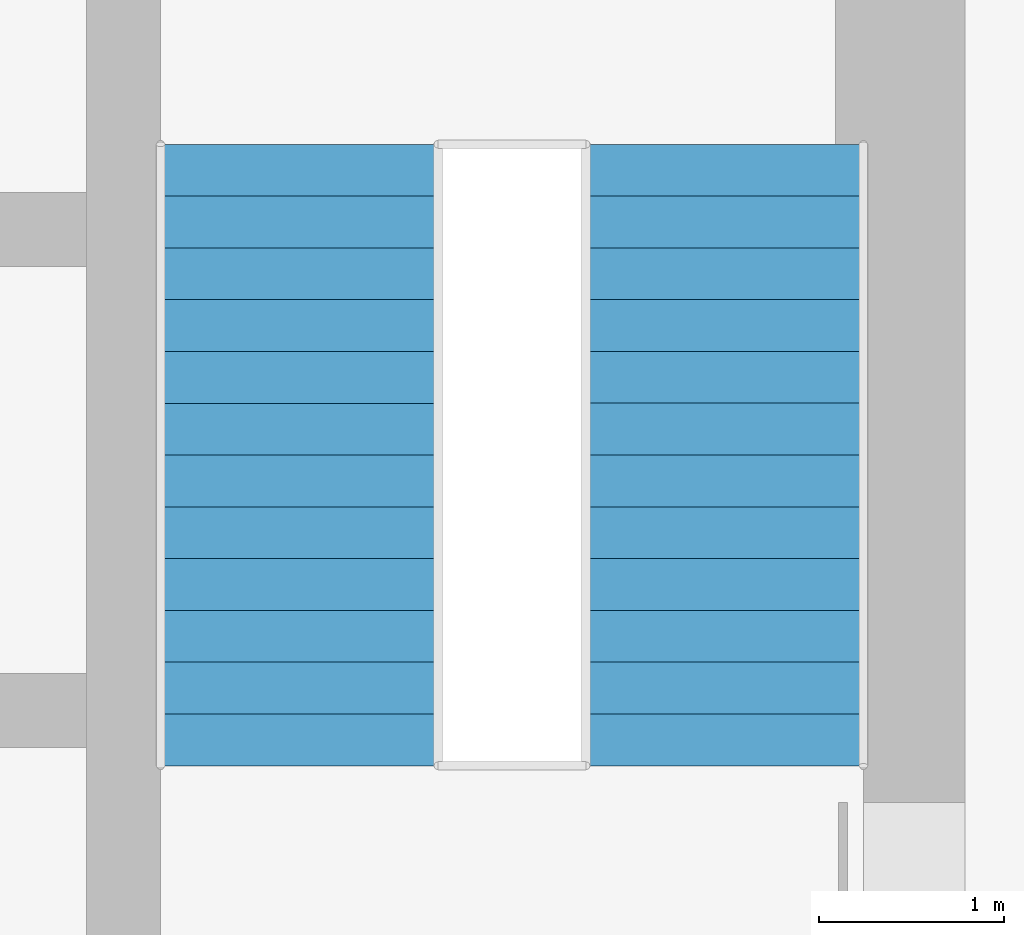
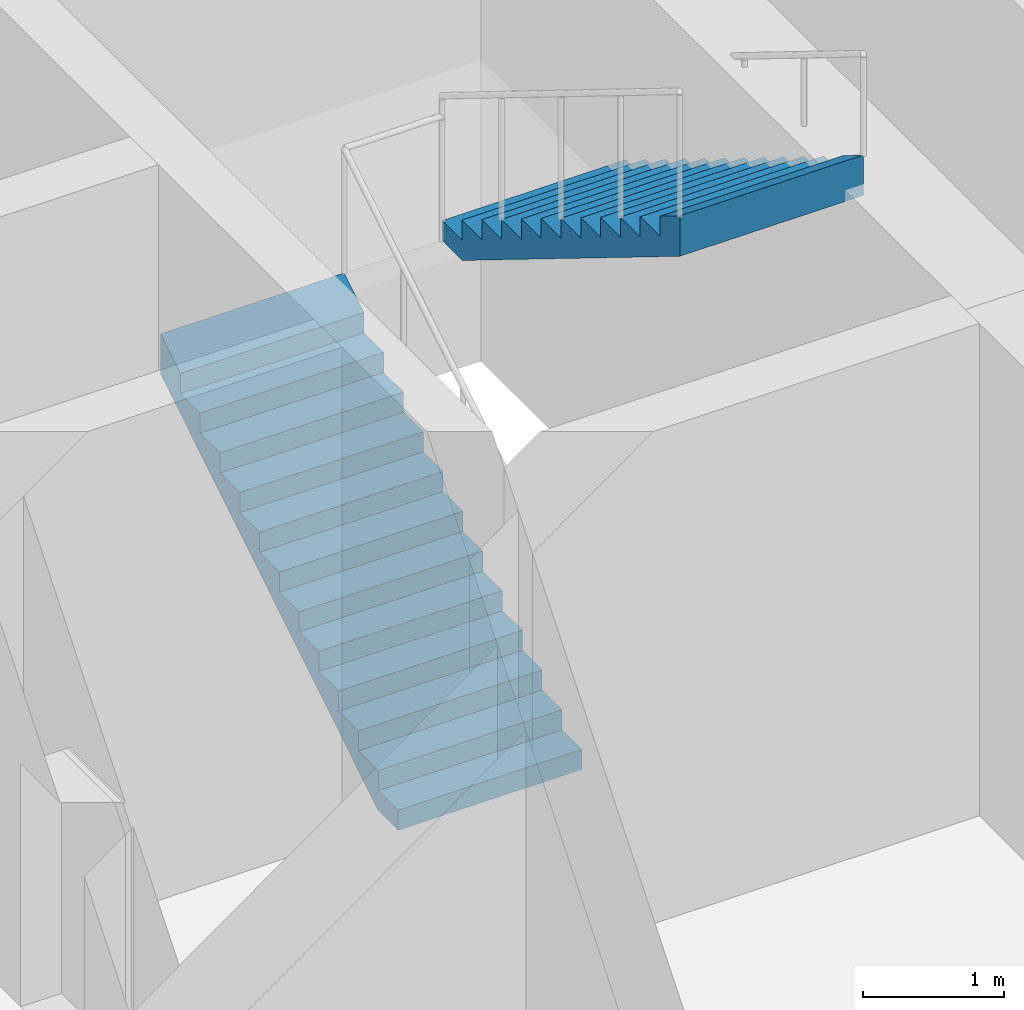
# One storey, part 19 of 31: 2 stair flights, 1 element without a shape of its own.
"""IFC4 building model written with IfcOpenShell, lengths in metres."""

from ifc_helpers import new_model, si_unit, direction, frame, origin, place, context, subcontext, project, spatial, triangles, material, type_object, element, aggregate, save


model = new_model("IFC4")

# Units and contexts
model_context = context("Model", 3, precision=1e-05, world=origin(), true_north=direction((0.0, 1.0)))
body_context = subcontext(model_context, "Body", "Model", "MODEL_VIEW")
ifc_project = project(units=[si_unit("LENGTHUNIT", "METRE"), si_unit("AREAUNIT", "SQUARE_METRE"), si_unit("VOLUMEUNIT", "CUBIC_METRE"), si_unit("PLANEANGLEUNIT", "RADIAN"), si_unit("MASSUNIT", "GRAM", prefix="KILO")], contexts=[model_context])

# Site, building, storey
site_placement = place(None, origin())
site = spatial("IfcSite", under=ifc_project, at=site_placement, CompositionType="ELEMENT")
building_placement = place(site_placement, origin())
building = spatial("IfcBuilding", under=site, at=building_placement, Name="Ludao Terraces", CompositionType="ELEMENT")
storey_placement = place(building_placement, frame((0.0, 0.0, 15.0)))
storey = spatial("IfcBuildingStorey", under=building, at=storey_placement, Name="L03", CompositionType="ELEMENT", Elevation=15.0)

# Stair, stair flights
ifc_material = material(Name="Concrete C40", Category="concrete")
stair_type = type_object("IfcStairType", Name="INT Stair", PredefinedType="HALF_TURN_STAIR", material=ifc_material)
stair_placement = place(storey_placement, origin())
stair = element("IfcStair", 1, at=stair_placement, inside=storey, type_object=stair_type, Name="EXIT STAIR 2", PredefinedType="HALF_TURN_STAIR")
stair_flight_type = type_object("IfcStairFlightType", Name="INT Stair flight", PredefinedType="STRAIGHT", material=ifc_material)
stair_flight_1_placement = place(storey_placement, frame((91.5, 79.0, 0.0), z_axis=(0.0, 0.0, 1.0), x_axis=(0.0, 1.0, 0.0)))
stair_flight_1 = element("IfcStairFlight", 2, at=stair_flight_1_placement, type_object=stair_flight_type, Name="ST2 flight 1", NumberOfRisers=13, NumberOfTreads=12, PredefinedType="STRAIGHT", RiserHeight=0.173077, TreadLength=0.28, context=body_context, shape_type="Tessellation", body=[
    triangles([(0.0, -0.75, 0.0), (0.0, -0.5, 0.0), (0.0, -0.25, 0.0), (0.0, 0.0, 0.0), (0.0, 0.25, 0.0), (0.0, 0.5, 0.0), (0.0, 0.75, 0.0), (0.0, -0.75, 0.173095703125), (0.0, -0.5, 0.173095703125), (0.0, -0.25, 0.173095703125), (0.0, 0.0, 0.173095703125), (0.0, 0.25, 0.173095703125), (0.0, 0.5, 0.173095703125), (0.0, 0.75, 0.173095703125), (0.280029296875, -0.75, 0.173095703125), (0.280029296875, -0.5, 0.173095703125), (0.280029296875, -0.25, 0.173095703125), (0.280029296875, 0.0, 0.173095703125), (0.280029296875, 0.25, 0.173095703125), (0.280029296875, 0.5, 0.173095703125), (0.280029296875, 0.75, 0.173095703125), (0.280029296875, -0.75, 0.34619140625), (0.280029296875, -0.5, 0.34619140625), (0.280029296875, -0.25, 0.34619140625), (0.280029296875, 0.0, 0.34619140625), (0.280029296875, 0.25, 0.34619140625), (0.280029296875, 0.5, 0.34619140625), (0.280029296875, 0.75, 0.34619140625), (0.56005859375, -0.75, 0.34619140625), (0.56005859375, -0.5, 0.34619140625), (0.56005859375, -0.25, 0.34619140625), (0.56005859375, 0.0, 0.34619140625), (0.56005859375, 0.25, 0.34619140625), (0.56005859375, 0.5, 0.34619140625), (0.56005859375, 0.75, 0.34619140625), (0.56005859375, -0.75, 0.519287109375), (0.56005859375, -0.5, 0.519287109375), (0.56005859375, -0.25, 0.519287109375), (0.56005859375, 0.0, 0.519287109375), (0.56005859375, 0.25, 0.519287109375), (0.56005859375, 0.5, 0.519287109375), (0.56005859375, 0.75, 0.519287109375), (0.840087890625, -0.75, 0.519287109375), (0.840087890625, -0.5, 0.519287109375), (0.840087890625, -0.25, 0.519287109375), (0.840087890625, 0.0, 0.519287109375), (0.840087890625, 0.25, 0.519287109375), (0.840087890625, 0.5, 0.519287109375), (0.840087890625, 0.75, 0.519287109375), (0.840087890625, -0.75, 0.6923828125), (0.840087890625, -0.5, 0.6923828125), (0.840087890625, -0.25, 0.6923828125), (0.840087890625, 0.0, 0.6923828125), (0.840087890625, 0.25, 0.6923828125), (0.840087890625, 0.5, 0.6923828125), (0.840087890625, 0.75, 0.6923828125), (1.1201171875, -0.75, 0.6923828125), (1.1201171875, -0.5, 0.6923828125), (1.1201171875, -0.25, 0.6923828125), (1.1201171875, 0.0, 0.6923828125), (1.1201171875, 0.25, 0.6923828125), (1.1201171875, 0.5, 0.6923828125), (1.1201171875, 0.75, 0.6923828125), (1.1201171875, -0.75, 0.865478515625), (1.1201171875, -0.5, 0.865478515625), (1.1201171875, -0.25, 0.865478515625), (1.1201171875, 0.0, 0.865478515625), (1.1201171875, 0.25, 0.865478515625), (1.1201171875, 0.5, 0.865478515625), (1.1201171875, 0.75, 0.865478515625), (1.39990234375, -0.75, 0.865478515625), (1.39990234375, -0.5, 0.865478515625), (1.39990234375, -0.25, 0.865478515625), (1.39990234375, 0.0, 0.865478515625), (1.39990234375, 0.25, 0.865478515625), (1.39990234375, 0.5, 0.865478515625), (1.39990234375, 0.75, 0.865478515625), (1.39990234375, -0.75, 1.03857421875), (1.39990234375, -0.5, 1.03857421875), (1.39990234375, -0.25, 1.03857421875), (1.39990234375, 0.0, 1.03857421875), (1.39990234375, 0.25, 1.03857421875), (1.39990234375, 0.5, 1.03857421875), (1.39990234375, 0.75, 1.03857421875), (1.679931640625, -0.75, 1.03857421875), (1.679931640625, -0.5, 1.03857421875), (1.679931640625, -0.25, 1.03857421875), (1.679931640625, 0.0, 1.03857421875), (1.679931640625, 0.25, 1.03857421875), (1.679931640625, 0.5, 1.03857421875), (1.679931640625, 0.75, 1.03857421875), (1.679931640625, -0.75, 1.21142578125), (1.679931640625, -0.5, 1.21142578125), (1.679931640625, -0.25, 1.21142578125), (1.679931640625, 0.0, 1.21142578125), (1.679931640625, 0.25, 1.21142578125), (1.679931640625, 0.5, 1.21142578125), (1.679931640625, 0.75, 1.21142578125), (1.9599609375, -0.75, 1.21142578125), (1.9599609375, -0.5, 1.21142578125), (1.9599609375, -0.25, 1.21142578125), (1.9599609375, 0.0, 1.21142578125), (1.9599609375, 0.25, 1.21142578125), (1.9599609375, 0.5, 1.21142578125), (1.9599609375, 0.75, 1.21142578125), (1.9599609375, -0.75, 1.384521484375), (1.9599609375, -0.5, 1.384521484375), (1.9599609375, -0.25, 1.384521484375), (1.9599609375, 0.0, 1.384521484375), (1.9599609375, 0.25, 1.384521484375), (1.9599609375, 0.5, 1.384521484375), (1.9599609375, 0.75, 1.384521484375), (2.239990234375, -0.75, 1.384521484375), (2.239990234375, -0.5, 1.384521484375), (2.239990234375, -0.25, 1.384521484375), (2.239990234375, 0.0, 1.384521484375), (2.239990234375, 0.25, 1.384521484375), (2.239990234375, 0.5, 1.384521484375), (2.239990234375, 0.75, 1.384521484375), (2.239990234375, -0.75, 1.5576171875), (2.239990234375, -0.5, 1.5576171875), (2.239990234375, -0.25, 1.5576171875), (2.239990234375, 0.0, 1.5576171875), (2.239990234375, 0.25, 1.5576171875), (2.239990234375, 0.5, 1.5576171875), (2.239990234375, 0.75, 1.5576171875), (2.52001953125, -0.75, 1.5576171875), (2.52001953125, -0.5, 1.5576171875), (2.52001953125, -0.25, 1.5576171875), (2.52001953125, 0.0, 1.5576171875), (2.52001953125, 0.25, 1.5576171875), (2.52001953125, 0.5, 1.5576171875), (2.52001953125, 0.75, 1.5576171875), (2.52001953125, -0.75, 1.730712890625), (2.52001953125, -0.5, 1.730712890625), (2.52001953125, -0.25, 1.730712890625), (2.52001953125, 0.0, 1.730712890625), (2.52001953125, 0.25, 1.730712890625), (2.52001953125, 0.5, 1.730712890625), (2.52001953125, 0.75, 1.730712890625), (2.800048828125, -0.75, 1.730712890625), (2.800048828125, -0.5, 1.730712890625), (2.800048828125, -0.25, 1.730712890625), (2.800048828125, 0.0, 1.730712890625), (2.800048828125, 0.25, 1.730712890625), (2.800048828125, 0.5, 1.730712890625), (2.800048828125, 0.75, 1.730712890625), (2.800048828125, -0.75, 1.90380859375), (2.800048828125, -0.5, 1.90380859375), (2.800048828125, -0.25, 1.90380859375), (2.800048828125, 0.0, 1.90380859375), (2.800048828125, 0.25, 1.90380859375), (2.800048828125, 0.5, 1.90380859375), (2.800048828125, 0.75, 1.90380859375), (3.080078125, -0.75, 1.90380859375), (3.080078125, -0.5, 1.90380859375), (3.080078125, -0.25, 1.90380859375), (3.080078125, 0.0, 1.90380859375), (3.080078125, 0.25, 1.90380859375), (3.080078125, 0.5, 1.90380859375), (3.080078125, 0.75, 1.90380859375), (3.080078125, -0.75, 2.076904296875), (3.080078125, -0.5, 2.076904296875), (3.080078125, -0.25, 2.076904296875), (3.080078125, 0.0, 2.076904296875), (3.080078125, 0.25, 2.076904296875), (3.080078125, 0.5, 2.076904296875), (3.080078125, 0.75, 2.076904296875), (3.360107421875, -0.75, 2.25), (3.360107421875, -0.5, 2.25), (3.360107421875, -0.25, 2.25), (3.360107421875, 0.0, 2.25), (3.360107421875, 0.25, 2.25), (3.360107421875, 0.5, 2.25), (3.360107421875, 0.75, 2.25), (3.360107421875, -0.75, 1.900634765625), (3.360107421875, -0.5, 1.900634765625), (3.360107421875, -0.25, 1.900634765625), (3.360107421875, 0.0, 1.900634765625), (3.360107421875, 0.25, 1.900634765625), (3.360107421875, 0.5, 1.900634765625), (3.360107421875, 0.75, 1.900634765625), (0.28515625, -0.75, 0.0), (0.28515625, -0.5, 0.0), (0.28515625, -0.25, 0.0), (0.28515625, 0.0, 0.0), (0.28515625, 0.25, 0.0), (0.28515625, 0.5, 0.0), (0.28515625, 0.75, 0.0)], [[1, 183, 176], [7, 182, 189], [176, 169, 162], [182, 168, 175], [176, 162, 155], [182, 161, 168], [176, 155, 148], [182, 154, 161], [176, 148, 141], [182, 147, 154], [141, 134, 127], [147, 133, 140], [176, 141, 127], [182, 133, 147], [127, 120, 113], [133, 119, 126], [176, 127, 113], [182, 119, 133], [113, 106, 99], [119, 105, 112], [176, 113, 99], [182, 105, 119], [1, 176, 99], [7, 105, 182], [99, 92, 85], [105, 91, 98], [85, 78, 71], [91, 77, 84], [99, 85, 71], [105, 77, 91], [71, 64, 57], [77, 63, 70], [99, 71, 57], [105, 63, 77], [57, 50, 43], [63, 49, 56], [99, 57, 43], [105, 49, 63], [43, 36, 29], [49, 35, 42], [99, 43, 29], [105, 35, 49], [29, 22, 15], [35, 21, 28], [99, 29, 15], [105, 21, 35], [1, 99, 15], [7, 21, 105], [15, 8, 1], [21, 7, 14], [1, 9, 2], [1, 8, 9], [2, 10, 3], [2, 9, 10], [3, 11, 4], [3, 10, 11], [4, 12, 5], [4, 11, 12], [5, 13, 6], [5, 12, 13], [6, 14, 7], [6, 13, 14], [8, 16, 9], [8, 15, 16], [9, 17, 10], [9, 16, 17], [10, 18, 11], [10, 17, 18], [11, 19, 12], [11, 18, 19], [12, 20, 13], [12, 19, 20], [13, 21, 14], [13, 20, 21], [15, 23, 16], [15, 22, 23], [16, 24, 17], [16, 23, 24], [17, 25, 18], [17, 24, 25], [18, 26, 19], [18, 25, 26], [19, 27, 20], [19, 26, 27], [20, 28, 21], [20, 27, 28], [22, 30, 23], [22, 29, 30], [23, 31, 24], [23, 30, 31], [24, 32, 25], [24, 31, 32], [25, 33, 26], [25, 32, 33], [26, 34, 27], [26, 33, 34], [27, 35, 28], [27, 34, 35], [29, 37, 30], [29, 36, 37], [30, 38, 31], [30, 37, 38], [31, 39, 32], [31, 38, 39], [32, 40, 33], [32, 39, 40], [33, 41, 34], [33, 40, 41], [34, 42, 35], [34, 41, 42], [36, 44, 37], [36, 43, 44], [37, 45, 38], [37, 44, 45], [38, 46, 39], [38, 45, 46], [39, 47, 40], [39, 46, 47], [40, 48, 41], [40, 47, 48], [41, 49, 42], [41, 48, 49], [43, 51, 44], [43, 50, 51], [44, 52, 45], [44, 51, 52], [45, 53, 46], [45, 52, 53], [46, 54, 47], [46, 53, 54], [47, 55, 48], [47, 54, 55], [48, 56, 49], [48, 55, 56], [50, 58, 51], [50, 57, 58], [51, 59, 52], [51, 58, 59], [52, 60, 53], [52, 59, 60], [53, 61, 54], [53, 60, 61], [54, 62, 55], [54, 61, 62], [55, 63, 56], [55, 62, 63], [57, 65, 58], [57, 64, 65], [58, 66, 59], [58, 65, 66], [59, 67, 60], [59, 66, 67], [60, 68, 61], [60, 67, 68], [61, 69, 62], [61, 68, 69], [62, 70, 63], [62, 69, 70], [64, 72, 65], [64, 71, 72], [65, 73, 66], [65, 72, 73], [66, 74, 67], [66, 73, 74], [67, 75, 68], [67, 74, 75], [68, 76, 69], [68, 75, 76], [69, 77, 70], [69, 76, 77], [71, 79, 72], [71, 78, 79], [72, 80, 73], [72, 79, 80], [73, 81, 74], [73, 80, 81], [74, 82, 75], [74, 81, 82], [75, 83, 76], [75, 82, 83], [76, 84, 77], [76, 83, 84], [78, 86, 79], [78, 85, 86], [79, 87, 80], [79, 86, 87], [80, 88, 81], [80, 87, 88], [81, 89, 82], [81, 88, 89], [82, 90, 83], [82, 89, 90], [83, 91, 84], [83, 90, 91], [85, 93, 86], [85, 92, 93], [86, 94, 87], [86, 93, 94], [87, 95, 88], [87, 94, 95], [88, 96, 89], [88, 95, 96], [89, 97, 90], [89, 96, 97], [90, 98, 91], [90, 97, 98], [92, 100, 93], [92, 99, 100], [93, 101, 94], [93, 100, 101], [94, 102, 95], [94, 101, 102], [95, 103, 96], [95, 102, 103], [96, 104, 97], [96, 103, 104], [97, 105, 98], [97, 104, 105], [99, 107, 100], [99, 106, 107], [100, 108, 101], [100, 107, 108], [101, 109, 102], [101, 108, 109], [102, 110, 103], [102, 109, 110], [103, 111, 104], [103, 110, 111], [104, 112, 105], [104, 111, 112], [106, 114, 107], [106, 113, 114], [107, 115, 108], [107, 114, 115], [108, 116, 109], [108, 115, 116], [109, 117, 110], [109, 116, 117], [110, 118, 111], [110, 117, 118], [111, 119, 112], [111, 118, 119], [113, 121, 114], [113, 120, 121], [114, 122, 115], [114, 121, 122], [115, 123, 116], [115, 122, 123], [116, 124, 117], [116, 123, 124], [117, 125, 118], [117, 124, 125], [118, 126, 119], [118, 125, 126], [120, 128, 121], [120, 127, 128], [121, 129, 122], [121, 128, 129], [122, 130, 123], [122, 129, 130], [123, 131, 124], [123, 130, 131], [124, 132, 125], [124, 131, 132], [125, 133, 126], [125, 132, 133], [127, 135, 128], [127, 134, 135], [128, 136, 129], [128, 135, 136], [129, 137, 130], [129, 136, 137], [130, 138, 131], [130, 137, 138], [131, 139, 132], [131, 138, 139], [132, 140, 133], [132, 139, 140], [134, 142, 135], [134, 141, 142], [135, 143, 136], [135, 142, 143], [136, 144, 137], [136, 143, 144], [137, 145, 138], [137, 144, 145], [138, 146, 139], [138, 145, 146], [139, 147, 140], [139, 146, 147], [141, 149, 142], [141, 148, 149], [142, 150, 143], [142, 149, 150], [143, 151, 144], [143, 150, 151], [144, 152, 145], [144, 151, 152], [145, 153, 146], [145, 152, 153], [146, 154, 147], [146, 153, 154], [148, 156, 149], [148, 155, 156], [149, 157, 150], [149, 156, 157], [150, 158, 151], [150, 157, 158], [151, 159, 152], [151, 158, 159], [152, 160, 153], [152, 159, 160], [153, 161, 154], [153, 160, 161], [155, 163, 156], [155, 162, 163], [156, 164, 157], [156, 163, 164], [157, 165, 158], [157, 164, 165], [158, 166, 159], [158, 165, 166], [159, 167, 160], [159, 166, 167], [160, 168, 161], [160, 167, 168], [162, 170, 163], [162, 169, 170], [163, 171, 164], [163, 170, 171], [164, 172, 165], [164, 171, 172], [165, 173, 166], [165, 172, 173], [166, 174, 167], [166, 173, 174], [167, 175, 168], [167, 174, 175], [169, 177, 170], [169, 176, 177], [170, 178, 171], [170, 177, 178], [171, 179, 172], [171, 178, 179], [172, 180, 173], [172, 179, 180], [173, 181, 174], [173, 180, 181], [174, 182, 175], [174, 181, 182], [176, 184, 177], [176, 183, 184], [177, 185, 178], [177, 184, 185], [178, 186, 179], [178, 185, 186], [179, 187, 180], [179, 186, 187], [180, 188, 181], [180, 187, 188], [181, 189, 182], [181, 188, 189], [183, 2, 184], [183, 1, 2], [184, 3, 185], [184, 2, 3], [185, 4, 186], [185, 3, 4], [186, 5, 187], [186, 4, 5], [187, 6, 188], [187, 5, 6], [188, 7, 189], [188, 6, 7]], closed=True),
])
stair_flight_2_placement = place(storey_placement, frame((93.800048828125, 82.360107421875, 2.25), z_axis=(0.0, 0.0, 1.0), x_axis=(0.0, -1.0, 0.0)))
stair_flight_2 = element("IfcStairFlight", 3, at=stair_flight_2_placement, type_object=stair_flight_type, Name="ST2 flight 2", NumberOfRisers=13, NumberOfTreads=12, PredefinedType="STRAIGHT", RiserHeight=0.173077, TreadLength=0.28, context=body_context, shape_type="Tessellation", body=[
    triangles([(0.0, -0.75, 0.0), (0.0, -0.5, 0.0), (0.0, -0.25, 0.0), (0.0, 0.0, 0.0), (0.0, 0.25, 0.0), (0.0, 0.5, 0.0), (0.0, 0.75, 0.0), (0.0, -0.75, 0.173095703125), (0.0, -0.5, 0.173095703125), (0.0, -0.25, 0.173095703125), (0.0, 0.0, 0.173095703125), (0.0, 0.25, 0.173095703125), (0.0, 0.5, 0.173095703125), (0.0, 0.75, 0.173095703125), (0.280029296875, -0.75, 0.173095703125), (0.280029296875, -0.5, 0.173095703125), (0.280029296875, -0.25, 0.173095703125), (0.280029296875, 0.0, 0.173095703125), (0.280029296875, 0.25, 0.173095703125), (0.280029296875, 0.5, 0.173095703125), (0.280029296875, 0.75, 0.173095703125), (0.280029296875, -0.75, 0.34619140625), (0.280029296875, -0.5, 0.34619140625), (0.280029296875, -0.25, 0.34619140625), (0.280029296875, 0.0, 0.34619140625), (0.280029296875, 0.25, 0.34619140625), (0.280029296875, 0.5, 0.34619140625), (0.280029296875, 0.75, 0.34619140625), (0.56005859375, -0.75, 0.34619140625), (0.56005859375, -0.5, 0.34619140625), (0.56005859375, -0.25, 0.34619140625), (0.56005859375, 0.0, 0.34619140625), (0.56005859375, 0.25, 0.34619140625), (0.56005859375, 0.5, 0.34619140625), (0.56005859375, 0.75, 0.34619140625), (0.56005859375, -0.75, 0.519287109375), (0.56005859375, -0.5, 0.519287109375), (0.56005859375, -0.25, 0.519287109375), (0.56005859375, 0.0, 0.519287109375), (0.56005859375, 0.25, 0.519287109375), (0.56005859375, 0.5, 0.519287109375), (0.56005859375, 0.75, 0.519287109375), (0.840087890625, -0.75, 0.519287109375), (0.840087890625, -0.5, 0.519287109375), (0.840087890625, -0.25, 0.519287109375), (0.840087890625, 0.0, 0.519287109375), (0.840087890625, 0.25, 0.519287109375), (0.840087890625, 0.5, 0.519287109375), (0.840087890625, 0.75, 0.519287109375), (0.840087890625, -0.75, 0.6923828125), (0.840087890625, -0.5, 0.6923828125), (0.840087890625, -0.25, 0.6923828125), (0.840087890625, 0.0, 0.6923828125), (0.840087890625, 0.25, 0.6923828125), (0.840087890625, 0.5, 0.6923828125), (0.840087890625, 0.75, 0.6923828125), (1.1201171875, -0.75, 0.6923828125), (1.1201171875, -0.5, 0.6923828125), (1.1201171875, -0.25, 0.6923828125), (1.1201171875, 0.0, 0.6923828125), (1.1201171875, 0.25, 0.6923828125), (1.1201171875, 0.5, 0.6923828125), (1.1201171875, 0.75, 0.6923828125), (1.1201171875, -0.75, 0.865478515625), (1.1201171875, -0.5, 0.865478515625), (1.1201171875, -0.25, 0.865478515625), (1.1201171875, 0.0, 0.865478515625), (1.1201171875, 0.25, 0.865478515625), (1.1201171875, 0.5, 0.865478515625), (1.1201171875, 0.75, 0.865478515625), (1.39990234375, -0.75, 0.865478515625), (1.39990234375, -0.5, 0.865478515625), (1.39990234375, -0.25, 0.865478515625), (1.39990234375, 0.0, 0.865478515625), (1.39990234375, 0.25, 0.865478515625), (1.39990234375, 0.5, 0.865478515625), (1.39990234375, 0.75, 0.865478515625), (1.39990234375, -0.75, 1.03857421875), (1.39990234375, -0.5, 1.03857421875), (1.39990234375, -0.25, 1.03857421875), (1.39990234375, 0.0, 1.03857421875), (1.39990234375, 0.25, 1.03857421875), (1.39990234375, 0.5, 1.03857421875), (1.39990234375, 0.75, 1.03857421875), (1.679931640625, -0.75, 1.03857421875), (1.679931640625, -0.5, 1.03857421875), (1.679931640625, -0.25, 1.03857421875), (1.679931640625, 0.0, 1.03857421875), (1.679931640625, 0.25, 1.03857421875), (1.679931640625, 0.5, 1.03857421875), (1.679931640625, 0.75, 1.03857421875), (1.679931640625, -0.75, 1.21142578125), (1.679931640625, -0.5, 1.21142578125), (1.679931640625, -0.25, 1.21142578125), (1.679931640625, 0.0, 1.21142578125), (1.679931640625, 0.25, 1.21142578125), (1.679931640625, 0.5, 1.21142578125), (1.679931640625, 0.75, 1.21142578125), (1.9599609375, -0.75, 1.21142578125), (1.9599609375, -0.5, 1.21142578125), (1.9599609375, -0.25, 1.21142578125), (1.9599609375, 0.0, 1.21142578125), (1.9599609375, 0.25, 1.21142578125), (1.9599609375, 0.5, 1.21142578125), (1.9599609375, 0.75, 1.21142578125), (1.9599609375, -0.75, 1.384521484375), (1.9599609375, -0.5, 1.384521484375), (1.9599609375, -0.25, 1.384521484375), (1.9599609375, 0.0, 1.384521484375), (1.9599609375, 0.25, 1.384521484375), (1.9599609375, 0.5, 1.384521484375), (1.9599609375, 0.75, 1.384521484375), (2.239990234375, -0.75, 1.384521484375), (2.239990234375, -0.5, 1.384521484375), (2.239990234375, -0.25, 1.384521484375), (2.239990234375, 0.0, 1.384521484375), (2.239990234375, 0.25, 1.384521484375), (2.239990234375, 0.5, 1.384521484375), (2.239990234375, 0.75, 1.384521484375), (2.239990234375, -0.75, 1.5576171875), (2.239990234375, -0.5, 1.5576171875), (2.239990234375, -0.25, 1.5576171875), (2.239990234375, 0.0, 1.5576171875), (2.239990234375, 0.25, 1.5576171875), (2.239990234375, 0.5, 1.5576171875), (2.239990234375, 0.75, 1.5576171875), (2.52001953125, -0.75, 1.5576171875), (2.52001953125, -0.5, 1.5576171875), (2.52001953125, -0.25, 1.5576171875), (2.52001953125, 0.0, 1.5576171875), (2.52001953125, 0.25, 1.5576171875), (2.52001953125, 0.5, 1.5576171875), (2.52001953125, 0.75, 1.5576171875), (2.52001953125, -0.75, 1.730712890625), (2.52001953125, -0.5, 1.730712890625), (2.52001953125, -0.25, 1.730712890625), (2.52001953125, 0.0, 1.730712890625), (2.52001953125, 0.25, 1.730712890625), (2.52001953125, 0.5, 1.730712890625), (2.52001953125, 0.75, 1.730712890625), (2.800048828125, -0.75, 1.730712890625), (2.800048828125, -0.5, 1.730712890625), (2.800048828125, -0.25, 1.730712890625), (2.800048828125, 0.0, 1.730712890625), (2.800048828125, 0.25, 1.730712890625), (2.800048828125, 0.5, 1.730712890625), (2.800048828125, 0.75, 1.730712890625), (2.800048828125, -0.75, 1.90380859375), (2.800048828125, -0.5, 1.90380859375), (2.800048828125, -0.25, 1.90380859375), (2.800048828125, 0.0, 1.90380859375), (2.800048828125, 0.25, 1.90380859375), (2.800048828125, 0.5, 1.90380859375), (2.800048828125, 0.75, 1.90380859375), (3.080078125, -0.75, 1.90380859375), (3.080078125, -0.5, 1.90380859375), (3.080078125, -0.25, 1.90380859375), (3.080078125, 0.0, 1.90380859375), (3.080078125, 0.25, 1.90380859375), (3.080078125, 0.5, 1.90380859375), (3.080078125, 0.75, 1.90380859375), (3.080078125, -0.75, 2.076904296875), (3.080078125, -0.5, 2.076904296875), (3.080078125, -0.25, 2.076904296875), (3.080078125, 0.0, 2.076904296875), (3.080078125, 0.25, 2.076904296875), (3.080078125, 0.5, 2.076904296875), (3.080078125, 0.75, 2.076904296875), (3.360107421875, -0.75, 2.25), (3.360107421875, -0.5, 2.25), (3.360107421875, -0.25, 2.25), (3.360107421875, 0.0, 2.25), (3.360107421875, 0.25, 2.25), (3.360107421875, 0.5, 2.25), (3.360107421875, 0.75, 2.25), (3.360107421875, -0.75, 1.900634765625), (3.360107421875, -0.5, 1.900634765625), (3.360107421875, -0.25, 1.900634765625), (3.360107421875, 0.0, 1.900634765625), (3.360107421875, 0.25, 1.900634765625), (3.360107421875, 0.5, 1.900634765625), (3.360107421875, 0.75, 1.900634765625), (0.28515625, -0.75, 0.0), (0.28515625, -0.5, 0.0), (0.28515625, -0.25, 0.0), (0.28515625, 0.0, 0.0), (0.28515625, 0.25, 0.0), (0.28515625, 0.5, 0.0), (0.28515625, 0.75, 0.0)], [[1, 183, 176], [7, 182, 189], [176, 169, 162], [182, 168, 175], [176, 162, 155], [182, 161, 168], [176, 155, 148], [182, 154, 161], [176, 148, 141], [182, 147, 154], [141, 134, 127], [147, 133, 140], [176, 141, 127], [182, 133, 147], [127, 120, 113], [133, 119, 126], [176, 127, 113], [182, 119, 133], [113, 106, 99], [119, 105, 112], [176, 113, 99], [182, 105, 119], [1, 176, 99], [7, 105, 182], [99, 92, 85], [105, 91, 98], [85, 78, 71], [91, 77, 84], [99, 85, 71], [105, 77, 91], [71, 64, 57], [77, 63, 70], [99, 71, 57], [105, 63, 77], [57, 50, 43], [63, 49, 56], [99, 57, 43], [105, 49, 63], [43, 36, 29], [49, 35, 42], [99, 43, 29], [105, 35, 49], [29, 22, 15], [35, 21, 28], [99, 29, 15], [105, 21, 35], [1, 99, 15], [7, 21, 105], [15, 8, 1], [21, 7, 14], [1, 9, 2], [1, 8, 9], [2, 10, 3], [2, 9, 10], [3, 11, 4], [3, 10, 11], [4, 12, 5], [4, 11, 12], [5, 13, 6], [5, 12, 13], [6, 14, 7], [6, 13, 14], [8, 16, 9], [8, 15, 16], [9, 17, 10], [9, 16, 17], [10, 18, 11], [10, 17, 18], [11, 19, 12], [11, 18, 19], [12, 20, 13], [12, 19, 20], [13, 21, 14], [13, 20, 21], [15, 23, 16], [15, 22, 23], [16, 24, 17], [16, 23, 24], [17, 25, 18], [17, 24, 25], [18, 26, 19], [18, 25, 26], [19, 27, 20], [19, 26, 27], [20, 28, 21], [20, 27, 28], [22, 30, 23], [22, 29, 30], [23, 31, 24], [23, 30, 31], [24, 32, 25], [24, 31, 32], [25, 33, 26], [25, 32, 33], [26, 34, 27], [26, 33, 34], [27, 35, 28], [27, 34, 35], [29, 37, 30], [29, 36, 37], [30, 38, 31], [30, 37, 38], [31, 39, 32], [31, 38, 39], [32, 40, 33], [32, 39, 40], [33, 41, 34], [33, 40, 41], [34, 42, 35], [34, 41, 42], [36, 44, 37], [36, 43, 44], [37, 45, 38], [37, 44, 45], [38, 46, 39], [38, 45, 46], [39, 47, 40], [39, 46, 47], [40, 48, 41], [40, 47, 48], [41, 49, 42], [41, 48, 49], [43, 51, 44], [43, 50, 51], [44, 52, 45], [44, 51, 52], [45, 53, 46], [45, 52, 53], [46, 54, 47], [46, 53, 54], [47, 55, 48], [47, 54, 55], [48, 56, 49], [48, 55, 56], [50, 58, 51], [50, 57, 58], [51, 59, 52], [51, 58, 59], [52, 60, 53], [52, 59, 60], [53, 61, 54], [53, 60, 61], [54, 62, 55], [54, 61, 62], [55, 63, 56], [55, 62, 63], [57, 65, 58], [57, 64, 65], [58, 66, 59], [58, 65, 66], [59, 67, 60], [59, 66, 67], [60, 68, 61], [60, 67, 68], [61, 69, 62], [61, 68, 69], [62, 70, 63], [62, 69, 70], [64, 72, 65], [64, 71, 72], [65, 73, 66], [65, 72, 73], [66, 74, 67], [66, 73, 74], [67, 75, 68], [67, 74, 75], [68, 76, 69], [68, 75, 76], [69, 77, 70], [69, 76, 77], [71, 79, 72], [71, 78, 79], [72, 80, 73], [72, 79, 80], [73, 81, 74], [73, 80, 81], [74, 82, 75], [74, 81, 82], [75, 83, 76], [75, 82, 83], [76, 84, 77], [76, 83, 84], [78, 86, 79], [78, 85, 86], [79, 87, 80], [79, 86, 87], [80, 88, 81], [80, 87, 88], [81, 89, 82], [81, 88, 89], [82, 90, 83], [82, 89, 90], [83, 91, 84], [83, 90, 91], [85, 93, 86], [85, 92, 93], [86, 94, 87], [86, 93, 94], [87, 95, 88], [87, 94, 95], [88, 96, 89], [88, 95, 96], [89, 97, 90], [89, 96, 97], [90, 98, 91], [90, 97, 98], [92, 100, 93], [92, 99, 100], [93, 101, 94], [93, 100, 101], [94, 102, 95], [94, 101, 102], [95, 103, 96], [95, 102, 103], [96, 104, 97], [96, 103, 104], [97, 105, 98], [97, 104, 105], [99, 107, 100], [99, 106, 107], [100, 108, 101], [100, 107, 108], [101, 109, 102], [101, 108, 109], [102, 110, 103], [102, 109, 110], [103, 111, 104], [103, 110, 111], [104, 112, 105], [104, 111, 112], [106, 114, 107], [106, 113, 114], [107, 115, 108], [107, 114, 115], [108, 116, 109], [108, 115, 116], [109, 117, 110], [109, 116, 117], [110, 118, 111], [110, 117, 118], [111, 119, 112], [111, 118, 119], [113, 121, 114], [113, 120, 121], [114, 122, 115], [114, 121, 122], [115, 123, 116], [115, 122, 123], [116, 124, 117], [116, 123, 124], [117, 125, 118], [117, 124, 125], [118, 126, 119], [118, 125, 126], [120, 128, 121], [120, 127, 128], [121, 129, 122], [121, 128, 129], [122, 130, 123], [122, 129, 130], [123, 131, 124], [123, 130, 131], [124, 132, 125], [124, 131, 132], [125, 133, 126], [125, 132, 133], [127, 135, 128], [127, 134, 135], [128, 136, 129], [128, 135, 136], [129, 137, 130], [129, 136, 137], [130, 138, 131], [130, 137, 138], [131, 139, 132], [131, 138, 139], [132, 140, 133], [132, 139, 140], [134, 142, 135], [134, 141, 142], [135, 143, 136], [135, 142, 143], [136, 144, 137], [136, 143, 144], [137, 145, 138], [137, 144, 145], [138, 146, 139], [138, 145, 146], [139, 147, 140], [139, 146, 147], [141, 149, 142], [141, 148, 149], [142, 150, 143], [142, 149, 150], [143, 151, 144], [143, 150, 151], [144, 152, 145], [144, 151, 152], [145, 153, 146], [145, 152, 153], [146, 154, 147], [146, 153, 154], [148, 156, 149], [148, 155, 156], [149, 157, 150], [149, 156, 157], [150, 158, 151], [150, 157, 158], [151, 159, 152], [151, 158, 159], [152, 160, 153], [152, 159, 160], [153, 161, 154], [153, 160, 161], [155, 163, 156], [155, 162, 163], [156, 164, 157], [156, 163, 164], [157, 165, 158], [157, 164, 165], [158, 166, 159], [158, 165, 166], [159, 167, 160], [159, 166, 167], [160, 168, 161], [160, 167, 168], [162, 170, 163], [162, 169, 170], [163, 171, 164], [163, 170, 171], [164, 172, 165], [164, 171, 172], [165, 173, 166], [165, 172, 173], [166, 174, 167], [166, 173, 174], [167, 175, 168], [167, 174, 175], [169, 177, 170], [169, 176, 177], [170, 178, 171], [170, 177, 178], [171, 179, 172], [171, 178, 179], [172, 180, 173], [172, 179, 180], [173, 181, 174], [173, 180, 181], [174, 182, 175], [174, 181, 182], [176, 184, 177], [176, 183, 184], [177, 185, 178], [177, 184, 185], [178, 186, 179], [178, 185, 186], [179, 187, 180], [179, 186, 187], [180, 188, 181], [180, 187, 188], [181, 189, 182], [181, 188, 189], [183, 2, 184], [183, 1, 2], [184, 3, 185], [184, 2, 3], [185, 4, 186], [185, 3, 4], [186, 5, 187], [186, 4, 5], [187, 6, 188], [187, 5, 6], [188, 7, 189], [188, 6, 7]], closed=True),
])
aggregate(stair, [stair_flight_1, stair_flight_2])

save(model, "model.ifc")
